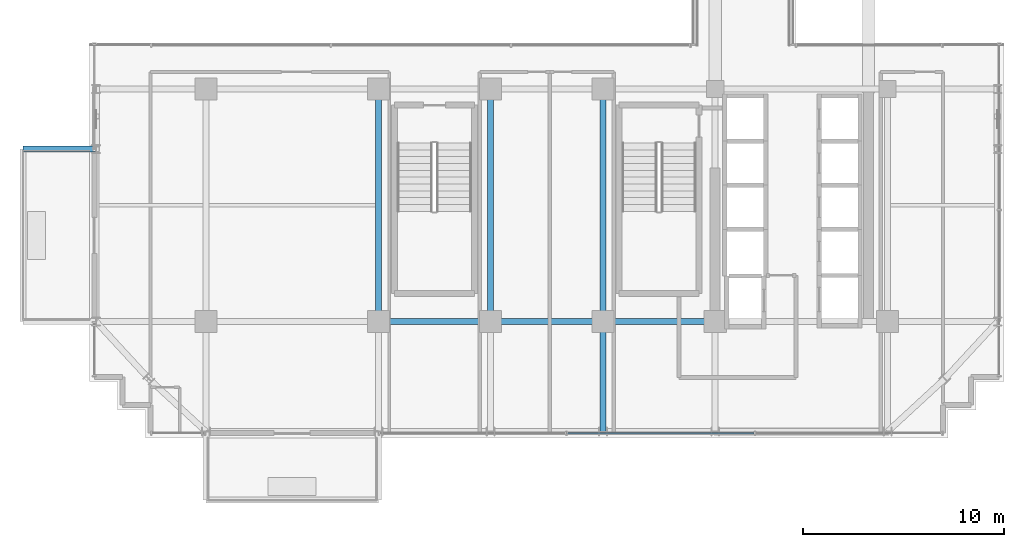
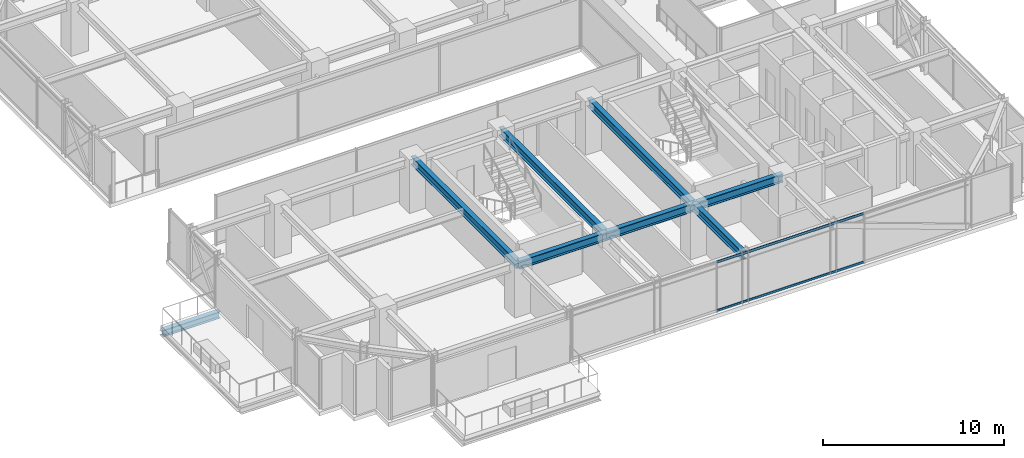
# One storey, part 6 of 36: 8 beams, 2 members, 1 element without a shape of its own.
"""IFC4 building model written with IfcOpenShell, lengths in metres."""

import ifcopenshell
import ifcopenshell.guid

model = None  # the IFC model being written
_history = None  # IfcOwnerHistory: only IFC2X3 demands one
_inside = {}  # id of a spatial element -> (the spatial element, [elements in it])
_under = {}  # id of a project, library or spatial element -> (it, [spatial elements below it])
_declared = {}  # id of a project -> (the project, [libraries it declares])
_typed = {}  # id of a type object -> (the type object, [elements of that type])
_made_of = {}  # id of a material, layer set ... -> (it, [elements and type objects made of it])


def new_model(schema):
    """Start an empty IFC model of exactly this schema.

    Asked for "IFC4X3", IfcOpenShell would pick the latest addendum, in which some entities
    have other attributes; the version numbers below select the first issue.
    IFC2X3 requires an IfcOwnerHistory on every rooted entity: one is made here for all.
    """
    global model, _history
    if schema == "IFC4X3":
        model = ifcopenshell.file(schema_version=(4, 3, 0, 0))
    else:
        model = ifcopenshell.file(schema=schema)
    _inside.clear()
    _under.clear()
    _declared.clear()
    _typed.clear()
    _made_of.clear()
    _history = None
    if model.schema == "IFC2X3":
        org = make("IfcOrganization", Name="unknown")
        user = make(
            "IfcPersonAndOrganization",
            ThePerson=make("IfcPerson", FamilyName="unknown"),
            TheOrganization=org,
        )
        app = make(
            "IfcApplication",
            ApplicationDeveloper=org,
            Version="unknown",
            ApplicationFullName="unknown",
            ApplicationIdentifier="unknown",
        )
        _history = make(
            "IfcOwnerHistory",
            OwningUser=user,
            OwningApplication=app,
            ChangeAction="ADDED",
            CreationDate=0,
        )
    return model


def make(cls, **values):
    """One entity of the class cls with the attributes given. An attribute that is None is left unset."""
    return model.create_entity(
        cls, **{name: value for name, value in values.items() if value is not None}
    )


def rooted(cls, **values):
    """An entity with a GlobalId (a new one), such as an element, a storey or a relation."""
    return make(cls, GlobalId=ifcopenshell.guid.new(), OwnerHistory=_history, **values)


def si_unit(unit_type, name, prefix=None):
    """IfcSIUnit, for example si_unit("LENGTHUNIT", "METRE", prefix="MILLI")."""
    return make("IfcSIUnit", UnitType=unit_type, Prefix=prefix, Name=name)


def assignment(units):
    """IfcUnitAssignment: the units of a project."""
    return None if units is None else make("IfcUnitAssignment", Units=units)


def point(xyz):
    """IfcCartesianPoint."""
    return None if xyz is None else make("IfcCartesianPoint", Coordinates=xyz)


def direction(xyz):
    """IfcDirection."""
    return None if xyz is None else make("IfcDirection", DirectionRatios=xyz)


def frame(location, z_axis=None, x_axis=None):
    """IfcAxis2Placement3D, a coordinate frame: its origin and axes. An axis left out is left unset."""
    return make(
        "IfcAxis2Placement3D",
        Location=point(location),
        Axis=direction(z_axis),
        RefDirection=direction(x_axis),
    )


def frame_2d(location, x_axis=None):
    """IfcAxis2Placement2D, a coordinate frame in the plane: its origin and x axis."""
    return make(
        "IfcAxis2Placement2D", Location=point(location), RefDirection=direction(x_axis)
    )


def origin():
    """The frame at (0, 0, 0) with its axes left unset."""
    return frame((0.0, 0.0, 0.0))


def origin_2d():
    """The frame at (0, 0) in the plane with its x axis left unset."""
    return frame_2d((0.0, 0.0))


def place(relative_to, where):
    """IfcLocalPlacement: puts the frame where relative to a parent placement (None: the world)."""
    return make(
        "IfcLocalPlacement", PlacementRelTo=relative_to, RelativePlacement=where
    )


def context(
    kind, dimensions, precision=None, world=None, true_north=None, identifier=None
):
    """IfcGeometricRepresentationContext, for example the 3D "Model" context."""
    return make(
        "IfcGeometricRepresentationContext",
        ContextIdentifier=identifier,
        ContextType=kind,
        CoordinateSpaceDimension=dimensions,
        Precision=precision,
        WorldCoordinateSystem=world,
        TrueNorth=true_north,
    )


def subcontext(parent, identifier, kind, view, scale=None):
    """IfcGeometricRepresentationSubContext, for example "Body" below "Model"."""
    return make(
        "IfcGeometricRepresentationSubContext",
        ContextIdentifier=identifier,
        ContextType=kind,
        ParentContext=parent,
        TargetScale=scale,
        TargetView=view,
    )


def project(units=None, contexts=None):
    """IfcProject with its units and contexts."""
    return rooted(
        "IfcProject",
        Name="project",
        RepresentationContexts=contexts,
        UnitsInContext=assignment(units),
    )


def spatial(cls, under=None, at=None, **own):
    """A site, building, storey or space (cls), placed at a placement, below another one or the project."""
    s = rooted(cls, ObjectPlacement=at, **own)
    if under is not None:
        _under.setdefault(under.id(), (under, []))[1].append(s)
    return s


def profile(cls, at=None, kind="AREA", **sizes):
    """A parametric profile (cls). Its sizes go by their IFC names, for example OverallWidth=200.0."""
    return make(cls, ProfileType=kind, Position=at, **sizes)


def hollow_rectangle(**sizes):
    """IfcRectangleHollowProfileDef."""
    return profile("IfcRectangleHollowProfileDef", **sizes)


def i_section(**sizes):
    """IfcIShapeProfileDef."""
    return profile("IfcIShapeProfileDef", **sizes)


def extrude(swept, where, along, depth):
    """IfcExtrudedAreaSolid: the profile swept, set in the frame where, extruded along a direction by depth."""
    return make(
        "IfcExtrudedAreaSolid",
        SweptArea=swept,
        Position=where,
        ExtrudedDirection=direction(along),
        Depth=depth,
    )


def shape(context_of_items, identifier, shape_type, items):
    """IfcShapeRepresentation: the items that make up one representation, for example the "Body"."""
    return make(
        "IfcShapeRepresentation",
        ContextOfItems=context_of_items,
        RepresentationIdentifier=identifier,
        RepresentationType=shape_type,
        Items=items,
    )


def source(mapping_origin, context_of_items, identifier, shape_type, items):
    """IfcRepresentationMap: a shape defined once, which mapped items show again and again."""
    return make(
        "IfcRepresentationMap",
        MappingOrigin=mapping_origin,
        MappedRepresentation=shape(context_of_items, identifier, shape_type, items),
    )


def transform(
    local_origin,
    x_axis=None,
    y_axis=None,
    z_axis=None,
    scale=None,
    scale2=None,
    scale3=None,
    uniform=True,
):
    """IfcCartesianTransformationOperator3D, or its non-uniform kind. x_axis, y_axis, z_axis: its Axis1, 2, 3."""
    if uniform:
        return make(
            "IfcCartesianTransformationOperator3D",
            Axis1=direction(x_axis),
            Axis2=direction(y_axis),
            LocalOrigin=point(local_origin),
            Scale=scale,
            Axis3=direction(z_axis),
        )
    return make(
        "IfcCartesianTransformationOperator3DnonUniform",
        Axis1=direction(x_axis),
        Axis2=direction(y_axis),
        LocalOrigin=point(local_origin),
        Scale=scale,
        Axis3=direction(z_axis),
        Scale2=scale2,
        Scale3=scale3,
    )


def mapped(mapping_source, mapping_target):
    """IfcMappedItem: shows the shape of a source again, moved by a transform."""
    return make(
        "IfcMappedItem", MappingSource=mapping_source, MappingTarget=mapping_target
    )


def material(Name=None, Category=None):
    """IfcMaterial."""
    return make("IfcMaterial", Name=Name, Category=Category)


def material_profile(
    of_material, cross_section, Name=None, Category=None, Priority=None
):
    """IfcMaterialProfile: a cross section and its material."""
    return make(
        "IfcMaterialProfile",
        Name=Name,
        Material=of_material,
        Profile=cross_section,
        Priority=Priority,
        Category=Category,
    )


def profile_set(profiles, Name=None, composite=None):
    """IfcMaterialProfileSet."""
    return make(
        "IfcMaterialProfileSet",
        Name=Name,
        MaterialProfiles=profiles,
        CompositeProfile=composite,
    )


def made_of(thing, what):
    """Note that an element or type object is made of a material, layer set ...; save() writes the relation."""
    if what is not None:
        _made_of.setdefault(what.id(), (what, []))[1].append(thing)
    return thing


def type_object(cls, material=None, **own):
    """A type object (cls), such as IfcWallType, which elements share."""
    return made_of(rooted(cls, **own), material)


def element(
    cls,
    number,
    at=None,
    inside=None,
    cuts=None,
    type_object=None,
    material=None,
    context=None,
    identifier="Body",
    shape_type=None,
    held_by="IfcProductDefinitionShape",
    body=None,
    shapes=None,
    **own,
):
    """One element of the class cls, such as IfcWall. Its Tag is "e" and its number.

    at: its placement. inside: the storey or other place that contains it. cuts: it is an
    opening in that element (IfcRelVoidsElement). A single representation is given by context,
    identifier, shape_type and body (its items); several are given by shapes. held_by: the class
    of the entity that holds the representations. save() writes the other relations.
    """
    e = rooted(cls, Tag="e%d" % number, ObjectPlacement=at, **own)
    if body is not None:
        shapes = [shape(context, identifier, shape_type, body)]
    if shapes is not None:
        e.Representation = make(held_by, Representations=shapes)
    if inside is not None:
        _inside.setdefault(inside.id(), (inside, []))[1].append(e)
    if cuts is not None:
        rooted(
            "IfcRelVoidsElement", RelatingBuildingElement=cuts, RelatedOpeningElement=e
        )
    if type_object is not None:
        _typed.setdefault(type_object.id(), (type_object, []))[1].append(e)
    return made_of(e, material)


def aggregate(whole, parts):
    """IfcRelAggregates: a whole, such as a stair, and the parts it consists of."""
    return rooted("IfcRelAggregates", RelatingObject=whole, RelatedObjects=parts)


def save(model, path):
    """Write the relations noted so far, then the file.

    IfcRelAggregates (storeys below a building ...), IfcRelContainedInSpatialStructure (elements
    in a storey), IfcRelDefinesByType, IfcRelAssociatesMaterial and IfcRelDeclares: one each for
    every whole, place, type object, material and project.
    """
    for whole, parts in _under.values():
        aggregate(whole, parts)
    for where, things in _inside.values():
        rooted(
            "IfcRelContainedInSpatialStructure",
            RelatedElements=things,
            RelatingStructure=where,
        )
    for kind, things in _typed.values():
        rooted("IfcRelDefinesByType", RelatedObjects=things, RelatingType=kind)
    for what, things in _made_of.values():
        rooted("IfcRelAssociatesMaterial", RelatedObjects=things, RelatingMaterial=what)
    for by, libraries in _declared.values():
        rooted("IfcRelDeclares", RelatingContext=by, RelatedDefinitions=libraries)
    model.write(path)


model = new_model("IFC4")

# Units and contexts
model_context = context("Model", 3, precision=1e-05, world=origin(), true_north=direction((0.0, 1.0)))
body_context = subcontext(model_context, "Body", "Model", "MODEL_VIEW")
ifc_project = project(units=[si_unit("LENGTHUNIT", "METRE"), si_unit("AREAUNIT", "SQUARE_METRE"), si_unit("VOLUMEUNIT", "CUBIC_METRE"), si_unit("PLANEANGLEUNIT", "RADIAN"), si_unit("MASSUNIT", "GRAM", prefix="KILO")], contexts=[model_context])

# Site, building, storey
site_placement = place(None, origin())
site = spatial("IfcSite", under=ifc_project, at=site_placement, CompositionType="ELEMENT")
building_placement = place(site_placement, origin())
building = spatial("IfcBuilding", under=site, at=building_placement, Name="Nahalor Promenade Grand Hotel", CompositionType="ELEMENT")
storey_placement = place(building_placement, frame((0.0, 0.0, 170.89990234375)))
storey = spatial("IfcBuildingStorey", under=building, at=storey_placement, Name="L43", CompositionType="ELEMENT", Elevation=170.89990234375)

# Beams
ifc_material_1 = material(Name="Steel S355JR", Category="steel")
ifc_material_profile_1 = material_profile(ifc_material_1, i_section(OverallWidth=0.3, OverallDepth=0.45, WebThickness=0.014, FlangeThickness=0.026, at=origin_2d()), Name="HEB 450")
ifc_profile_set_1 = profile_set([ifc_material_profile_1], Name="Steel S355JR")
beam_type_1 = type_object("IfcBeamType", Name="Beam-Outrigger-HEB450", PredefinedType="BEAM", material=ifc_profile_set_1)
shared_shape_1 = source(origin(), body_context, "Body", "SweptSolid", [
    extrude(i_section(OverallWidth=0.3, OverallDepth=0.45, WebThickness=0.014, FlangeThickness=0.026, at=origin_2d()), origin(), (0.0, 0.0, 1.0), 3.64013671875),
])
beam_1_placement = place(storey_placement, frame((-26.1201171875, -8.39990234375, -0.5048828125), z_axis=(1.0, 0.0, 0.0), x_axis=(0.0, 1.0, 0.0)))
element("IfcBeam", 1, at=beam_1_placement, inside=storey, type_object=beam_type_1, Name="BM-L43-BC-02-2", PredefinedType="BEAM", context=body_context, shape_type="MappedRepresentation", body=[
    mapped(shared_shape_1, transform((0.0, 0.0, 0.0), scale=1.0)),
])
ifc_material_profile_2 = material_profile(ifc_material_1, i_section(OverallWidth=0.3, OverallDepth=0.55, WebThickness=0.015, FlangeThickness=0.029, at=origin_2d()), Name="HEB 550")
ifc_profile_set_2 = profile_set([ifc_material_profile_2], Name="Steel S355JR")
beam_type_2 = type_object("IfcBeamType", Name="Beam-Girder-HEB550", PredefinedType="BEAM", material=ifc_profile_set_2)
shared_shape_2 = source(origin(), body_context, "Body", "SweptSolid", [
    extrude(i_section(OverallWidth=0.3, OverallDepth=0.55, WebThickness=0.015, FlangeThickness=0.029, at=origin_2d()), origin(), (0.0, 0.0, 1.0), 5.599853515625),
])
for number, where, z_axis, x_axis, name in (
    (2, (-8.39990234375, -17.0, 3.114990234375), (1.0, 0.0, 0.0), (0.0, 1.0, 0.0), "BM-L43-GX-0-2"),
    (3, (2.800048828125, -17.0, 3.114990234375), (1.0, 0.0, 0.0), (0.0, 1.0, 0.0), "BM-L43-GX-0-4"),
):
    element("IfcBeam", number, at=place(storey_placement, frame(where, z_axis=z_axis, x_axis=x_axis)), inside=storey, type_object=beam_type_2, Name=name, PredefinedType="BEAM", context=body_context, shape_type="MappedRepresentation", body=[
        mapped(shared_shape_2, transform((0.0, 0.0, 0.0), scale=1.0)),
    ])
shared_shape_3 = source(origin(), body_context, "Body", "SweptSolid", [
    extrude(i_section(OverallWidth=0.3, OverallDepth=0.55, WebThickness=0.015, FlangeThickness=0.029, at=origin_2d()), origin(), (0.0, 0.0, 1.0), 5.60009765625),
])
beam_2_placement = place(storey_placement, frame((-2.800048828125, -17.0, 3.114990234375), z_axis=(1.0, 0.0, 0.0), x_axis=(0.0, 1.0, 0.0)))
element("IfcBeam", 4, at=beam_2_placement, inside=storey, type_object=beam_type_2, Name="BM-L43-GX-0-3", PredefinedType="BEAM", context=body_context, shape_type="MappedRepresentation", body=[
    mapped(shared_shape_3, transform((0.0, 0.0, 0.0), scale=1.0)),
])
shared_shape_4 = source(origin(), body_context, "Body", "SweptSolid", [
    extrude(i_section(OverallWidth=0.3, OverallDepth=0.55, WebThickness=0.015, FlangeThickness=0.029, at=origin_2d()), origin(), (0.0, 0.0, 1.0), 11.60009765625),
])
for number, where, z_axis, x_axis, name in (
    (5, (-8.39990234375, -17.0, 3.114990234375), (0.0, 1.0, 0.0), (-1.0, 0.0, 0.0), "BM-L43-GY-1-1"),
    (6, (-2.800048828125, -17.0, 3.114990234375), (0.0, 1.0, 0.0), (-1.0, 0.0, 0.0), "BM-L43-GY-2-1"),
    (7, (2.800048828125, -17.0, 3.114990234375), (0.0, 1.0, 0.0), (-1.0, 0.0, 0.0), "BM-L43-GY-3-1"),
):
    element("IfcBeam", number, at=place(storey_placement, frame(where, z_axis=z_axis, x_axis=x_axis)), inside=storey, type_object=beam_type_2, Name=name, PredefinedType="BEAM", context=body_context, shape_type="MappedRepresentation", body=[
        mapped(shared_shape_4, transform((0.0, 0.0, 0.0), scale=1.0)),
    ])
shared_shape_5 = source(origin(), body_context, "Body", "SweptSolid", [
    extrude(i_section(OverallWidth=0.3, OverallDepth=0.55, WebThickness=0.015, FlangeThickness=0.029, at=origin_2d()), origin(), (0.0, 0.0, 1.0), 5.47998046875),
])
beam_3_placement = place(storey_placement, frame((2.800048828125, -22.47998046875, 3.114990234375), z_axis=(0.0, 1.0, 0.0), x_axis=(-1.0, 0.0, 0.0)))
element("IfcBeam", 8, at=beam_3_placement, inside=storey, type_object=beam_type_2, Name="BM-L43-GY-3-0", PredefinedType="BEAM", context=body_context, shape_type="MappedRepresentation", body=[
    mapped(shared_shape_5, transform((0.0, 0.0, 0.0), scale=1.0)),
])

# Curtain wall, members
ifc_material_2 = material(Name="Anodised Bronze Aluminium EN AW-6063 T6", Category="aluminium")
curtain_wall_type = type_object("IfcCurtainWallType", Name="CW3 Elliptical-Void Collar Unitised Curtain Wall", PredefinedType="USERDEFINED", material=ifc_material_2)
curtain_wall_placement = place(storey_placement, origin())
curtain_wall = element("IfcCurtainWall", 9, at=curtain_wall_placement, inside=storey, type_object=curtain_wall_type, Name="L43 Curtain Wall CW-L43-S-3", ObjectType="UNITISED_CURTAIN_WALL", PredefinedType="USERDEFINED")
ifc_material_profile_3 = material_profile(ifc_material_2, hollow_rectangle(XDim=0.07, YDim=0.14, WallThickness=0.004, at=origin_2d()), Name="CWT 70x140x4")
ifc_profile_set_3 = profile_set([ifc_material_profile_3], Name="Anodised Bronze Aluminium EN AW-6063 T6")
member_type = type_object("IfcMemberType", Name="CWT3 Void Collar Transom 70x140", PredefinedType="USERDEFINED", material=ifc_profile_set_3)
shared_shape_6 = source(origin(), body_context, "Body", "SweptSolid", [
    extrude(hollow_rectangle(XDim=0.07, YDim=0.14, WallThickness=0.004, at=origin_2d()), origin(), (0.0, 0.0, 1.0), 9.316650390625),
])
member_1_placement = place(storey_placement, frame((1.021728515625, -22.56005859375, 0.070068359375), z_axis=(1.0, 0.0, 0.0), x_axis=(0.0, 1.0, 0.0)))
member_1 = element("IfcMember", 10, at=member_1_placement, type_object=member_type, Name="CW-L43-S-3 Transom 1-0", ObjectType="TRANSOM", PredefinedType="USERDEFINED", context=body_context, shape_type="MappedRepresentation", body=[
    mapped(shared_shape_6, transform((0.0, 0.0, 0.0), scale=1.0)),
])
member_2_placement = place(storey_placement, frame((1.021728515625, -22.56005859375, 3.320068359375), z_axis=(1.0, 0.0, 0.0), x_axis=(0.0, 1.0, 0.0)))
member_2 = element("IfcMember", 11, at=member_2_placement, type_object=member_type, Name="CW-L43-S-3 Transom 1-1", ObjectType="TRANSOM", PredefinedType="USERDEFINED", context=body_context, shape_type="MappedRepresentation", body=[
    mapped(shared_shape_6, transform((0.0, 0.0, 0.0), scale=1.0)),
])
aggregate(curtain_wall, [member_1, member_2])

save(model, "model.ifc")
